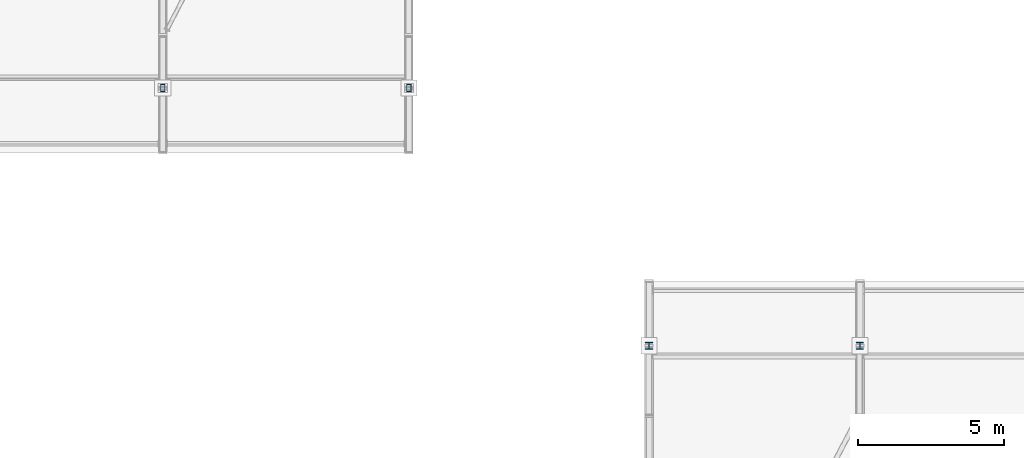
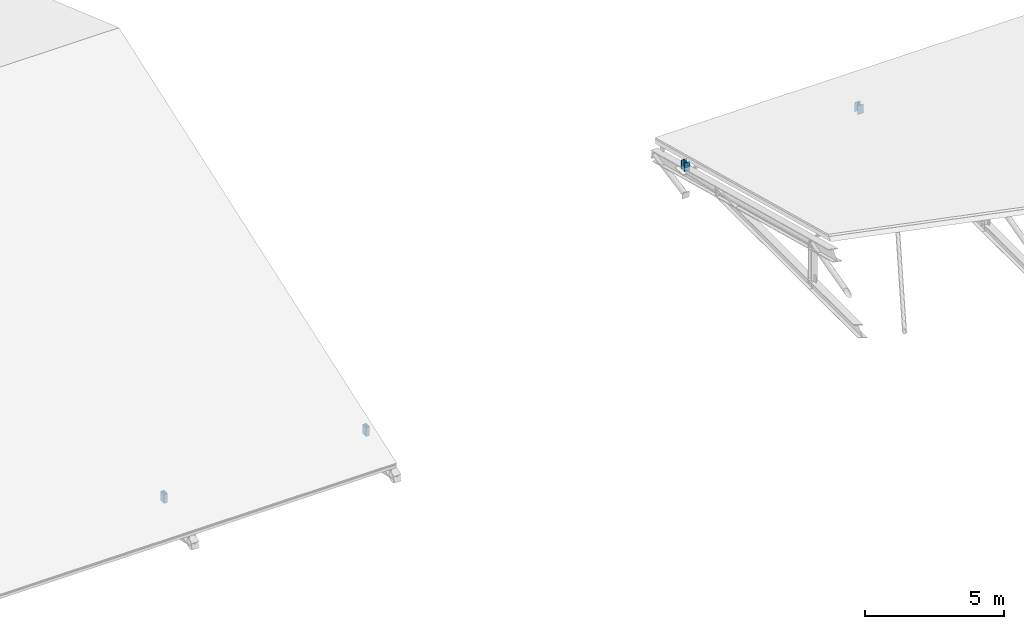
# One storey, part 22 of 57: 4 members.
"""IFC4 building model written with IfcOpenShell, lengths in metres."""

from ifc_helpers import new_model, si_unit, direction, frame, origin, origin_2d, place, context, subcontext, project, spatial, hollow_rectangle, i_section, extrude, material, material_profile, profile_set, type_object, element, save


model = new_model("IFC4")

# Units and contexts
model_context = context("Model", 3, precision=1e-05, world=origin(), true_north=direction((0.0, 1.0)))
body_context = subcontext(model_context, "Body", "Model", "MODEL_VIEW")
ifc_project = project(units=[si_unit("LENGTHUNIT", "METRE"), si_unit("AREAUNIT", "SQUARE_METRE"), si_unit("VOLUMEUNIT", "CUBIC_METRE"), si_unit("PLANEANGLEUNIT", "RADIAN"), si_unit("MASSUNIT", "GRAM", prefix="KILO")], contexts=[model_context])

# Site, building, storey
site_placement = place(None, origin())
site = spatial("IfcSite", under=ifc_project, at=site_placement, CompositionType="ELEMENT")
building_placement = place(site_placement, origin())
building = spatial("IfcBuilding", under=site, at=building_placement, Name="Kelarvand Opera House", CompositionType="ELEMENT")
storey_placement = place(building_placement, frame((0.0, 0.0, 33.60009765625)))
storey = spatial("IfcBuildingStorey", under=building, at=storey_placement, Name="Roof", CompositionType="ELEMENT", Elevation=33.60009765625)

# Members
ifc_material = material(Name="Steel S355", Category="steel")
ifc_material_profile_1 = material_profile(ifc_material, i_section(OverallWidth=0.239990234375, OverallDepth=0.239990234375, WebThickness=0.010009765625, FlangeThickness=0.01708984375, at=origin_2d()), Name="HEB 240", Category="steel")
ifc_profile_set_1 = profile_set([ifc_material_profile_1], Name="Steel S355")
member_type_1 = type_object("IfcMemberType", Name="Structural Post HEB 240 PS-HEB240", PredefinedType="POST", material=ifc_profile_set_1)
for number, where, z_axis, x_axis, name in (
    (1, (59.199951171875, 78.39990234375, 0.0), (0.0, 0.0, 1.0), (1.0, 0.0, 0.0), "V2 Roof Truss 1 Bearing Post N"),
    (2, (66.39990234375, 78.39990234375, 0.0), (0.0, 0.0, 1.0), (1.0, 0.0, 0.0), "V2 Roof Truss 2 Bearing Post N"),
):
    element("IfcMember", number, at=place(storey_placement, frame(where, z_axis=z_axis, x_axis=x_axis)), inside=storey, type_object=member_type_1, Name=name, PredefinedType="POST", context=body_context, shape_type="SweptSolid", body=[
        extrude(i_section(OverallWidth=0.239990234375, OverallDepth=0.239990234375, WebThickness=0.010009765625, FlangeThickness=0.01708984375, at=origin_2d()), origin(), (0.0, 0.0, 1.0), 0.39990234375),
    ])
ifc_material_profile_2 = material_profile(ifc_material, hollow_rectangle(XDim=0.14990234375, YDim=0.25, WallThickness=0.010009765625, at=origin_2d()), Name="RHS 250x150x10.0", Category="steel")
ifc_profile_set_2 = profile_set([ifc_material_profile_2], Name="Steel S355")
member_type_2 = type_object("IfcMemberType", Name="Structural Post RHS 250x150x10.0 PS-RHS250", PredefinedType="POST", material=ifc_profile_set_2)
for number, where, z_axis, x_axis, name in (
    (3, (42.60009765625, 87.199951171875, -14.10009765625), (0.0, 0.0, 1.0), (1.0, 0.0, 0.0), "V3 Roof Truss 5 Bearing Post S"),
    (4, (51.0, 87.199951171875, -14.10009765625), (0.0, 0.0, 1.0), (1.0, 0.0, 0.0), "V3 Roof Truss 6 Bearing Post S"),
):
    element("IfcMember", number, at=place(storey_placement, frame(where, z_axis=z_axis, x_axis=x_axis)), inside=storey, type_object=member_type_2, Name=name, PredefinedType="POST", context=body_context, shape_type="SweptSolid", body=[
        extrude(hollow_rectangle(XDim=0.14990234375, YDim=0.25, WallThickness=0.010009765625, at=origin_2d()), origin(), (0.0, 0.0, 1.0), 0.39990234375),
    ])

save(model, "model.ifc")
